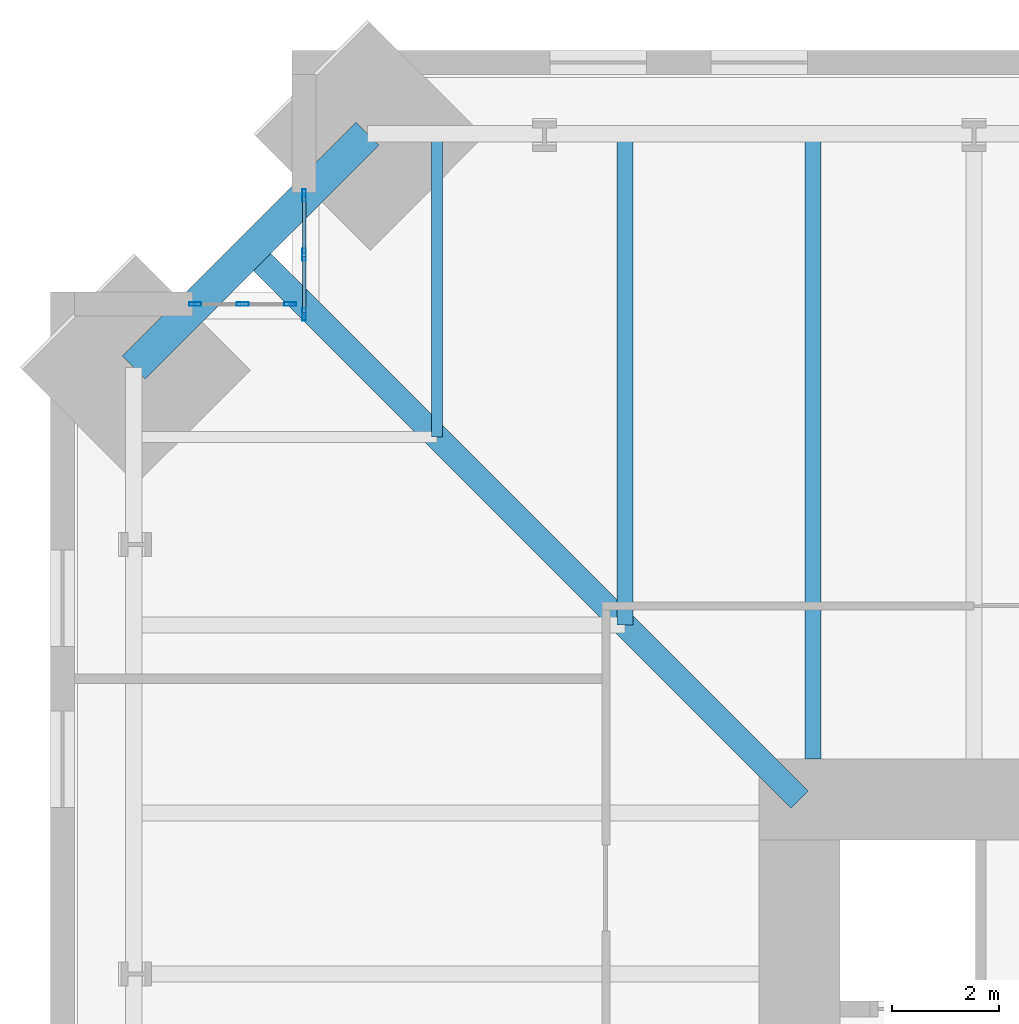
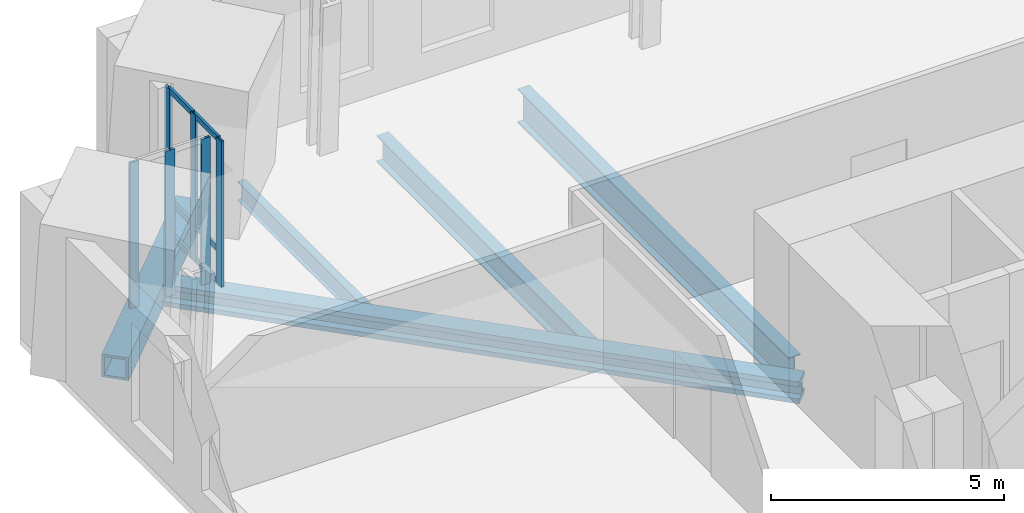
# One storey, part 6 of 15: 12 members, 5 beams, 2 elements without a shape of their own.
"""IFC4 building model written with IfcOpenShell, lengths in metres."""

from ifc_helpers import new_model, si_unit, direction, frame, origin, origin_2d, place, context, subcontext, project, spatial, hollow_rectangle, i_section, extrude, material, material_profile, profile_set, type_object, element, aggregate, save


model = new_model("IFC4")

# Units and contexts
model_context = context("Model", 3, precision=1e-05, world=origin(), true_north=direction((0.0, 1.0)))
body_context = subcontext(model_context, "Body", "Model", "MODEL_VIEW")
ifc_project = project(units=[si_unit("LENGTHUNIT", "METRE"), si_unit("AREAUNIT", "SQUARE_METRE"), si_unit("VOLUMEUNIT", "CUBIC_METRE"), si_unit("PLANEANGLEUNIT", "RADIAN"), si_unit("MASSUNIT", "GRAM", prefix="KILO")], contexts=[model_context])

# Site, building, storey
site_placement = place(None, origin())
site = spatial("IfcSite", under=ifc_project, at=site_placement, CompositionType="ELEMENT")
building_placement = place(site_placement, origin())
building = spatial("IfcBuilding", under=site, at=building_placement, Name="Peilmerk Tower", CompositionType="ELEMENT")
storey_placement = place(building_placement, frame((0.0, 0.0, 179.800048828125)))
storey = spatial("IfcBuildingStorey", under=building, at=storey_placement, Name="L38", CompositionType="ELEMENT", Elevation=179.800048828125)

# Beams
ifc_material_1 = material(Name="Steel S355", Category="steel")
ifc_material_profile_1 = material_profile(ifc_material_1, i_section(OverallWidth=0.300048828125, OverallDepth=0.68994140625, WebThickness=0.014404296875, FlangeThickness=0.027099609375, at=origin_2d()), Name="HEA 700")
ifc_profile_set_1 = profile_set([ifc_material_profile_1], Name="Steel S355")
beam_type_1 = type_object("IfcBeamType", Name="B16 HEA 700 floor beam", PredefinedType="BEAM", material=ifc_profile_set_1)
beam_1_placement = place(storey_placement, frame((-14.5, 14.5, -0.51513671875), z_axis=(0.0, 1.0, 0.0), x_axis=(-1.0, 0.0, 0.0)))
element("IfcBeam", 1, at=beam_1_placement, inside=storey, type_object=beam_type_1, Name="Floor beam L38", PredefinedType="BEAM", context=body_context, shape_type="SweptSolid", body=[
    extrude(i_section(OverallWidth=0.300048828125, OverallDepth=0.68994140625, WebThickness=0.014404296875, FlangeThickness=0.027099609375, at=origin_2d()), origin(), (0.0, 0.0, 1.0), 9.146728515625),
])
ifc_material_2 = material(Name="Steel S460", Category="steel")
ifc_material_profile_2 = material_profile(ifc_material_2, hollow_rectangle(XDim=0.60009765625, YDim=0.60009765625, WallThickness=0.06005859375, at=origin_2d()), Name="BOX 600x600x60")
ifc_profile_set_2 = profile_set([ifc_material_profile_2], Name="Steel S460")
beam_type_2 = type_object("IfcBeamType", Name="B20 BOX 600x600x60 notch beam", PredefinedType="SPANDREL", material=ifc_profile_set_2)
beam_2_placement = place(storey_placement, frame((-23.646728515625, 19.296875, -0.469970703125), z_axis=(0.707106781187, 0.707106781187, 0.0), x_axis=(-0.707106781187, 0.707106781187, 0.0)))
element("IfcBeam", 2, at=beam_2_placement, inside=storey, type_object=beam_type_2, Name="Notch beam L38", PredefinedType="SPANDREL", context=body_context, shape_type="SweptSolid", body=[
    extrude(hollow_rectangle(XDim=0.60009765625, YDim=0.60009765625, WallThickness=0.06005859375, at=origin_2d()), origin(), (0.0, 0.0, 1.0), 6.151611328125),
])
ifc_material_profile_3 = material_profile(ifc_material_1, i_section(OverallWidth=0.199951171875, OverallDepth=0.5, WebThickness=0.01025390625, FlangeThickness=0.01611328125, at=origin_2d()), Name="IPE 500")
ifc_profile_set_3 = profile_set([ifc_material_profile_3], Name="Steel S355")
beam_type_3 = type_object("IfcBeamType", Name="B32 IPE 500 floor beam", PredefinedType="BEAM", material=ifc_profile_set_3)
beam_3_placement = place(storey_placement, frame((-18.0, 18.0, -0.420166015625), z_axis=(0.0, 1.0, 0.0), x_axis=(-1.0, 0.0, 0.0)))
element("IfcBeam", 3, at=beam_3_placement, inside=storey, type_object=beam_type_3, Name="Floor beam L38", PredefinedType="BEAM", context=body_context, shape_type="SweptSolid", body=[
    extrude(i_section(OverallWidth=0.199951171875, OverallDepth=0.5, WebThickness=0.01025390625, FlangeThickness=0.01611328125, at=origin_2d()), origin(), (0.0, 0.0, 1.0), 5.646728515625),
])
ifc_material_profile_4 = material_profile(ifc_material_1, i_section(OverallWidth=0.300048828125, OverallDepth=0.889892578125, WebThickness=0.01611328125, FlangeThickness=0.030029296875, at=origin_2d()), Name="HEA 900")
ifc_profile_set_4 = profile_set([ifc_material_profile_4], Name="Steel S355")
beam_type_4 = type_object("IfcBeamType", Name="B4 HEA 900 floor beam", PredefinedType="BEAM", material=ifc_profile_set_4)
beam_4_placement = place(storey_placement, frame((-11.0, 12.0, -0.614990234375), z_axis=(0.0, 1.0, 0.0), x_axis=(-1.0, 0.0, 0.0)))
element("IfcBeam", 4, at=beam_4_placement, inside=storey, type_object=beam_type_4, Name="Floor beam L38", PredefinedType="BEAM", context=body_context, shape_type="SweptSolid", body=[
    extrude(i_section(OverallWidth=0.300048828125, OverallDepth=0.889892578125, WebThickness=0.01611328125, FlangeThickness=0.030029296875, at=origin_2d()), origin(), (0.0, 0.0, 1.0), 11.646728515625),
])
ifc_material_profile_5 = material_profile(ifc_material_2, i_section(OverallWidth=0.4541015625, OverallDepth=0.569091796875, WebThickness=0.077880859375, FlangeThickness=0.125, at=origin_2d()), Name="HD 400x1086")
ifc_profile_set_5 = profile_set([ifc_material_profile_5], Name="Steel S460")
beam_type_5 = type_object("IfcBeamType", Name="B9 HD 400x1086 corner girder", PredefinedType="BEAM", material=ifc_profile_set_5)
beam_5_placement = place(storey_placement, frame((-11.25, 11.25, -0.45458984375), z_axis=(-0.707106781187, 0.707106781187, 0.0), x_axis=(-0.707106781187, -0.707106781187, 0.0)))
element("IfcBeam", 5, at=beam_5_placement, inside=storey, type_object=beam_type_5, Name="Corner girder L38", PredefinedType="BEAM", context=body_context, shape_type="SweptSolid", body=[
    extrude(i_section(OverallWidth=0.4541015625, OverallDepth=0.569091796875, WebThickness=0.077880859375, FlangeThickness=0.125, at=origin_2d()), origin(), (0.0, 0.0, 1.0), 14.45556640625),
])

# Curtain wall, members
ifc_material_3 = material(Name="Aluminium stick curtain wall", Category="aluminium")
curtain_wall_type = type_object("IfcCurtainWallType", Name="CW3 stick curtain wall, 2250 module", PredefinedType="NOTDEFINED", material=ifc_material_3)
curtain_wall_1_placement = place(storey_placement, origin())
curtain_wall_1 = element("IfcCurtainWall", 6, at=curtain_wall_1_placement, inside=storey, type_object=curtain_wall_type, Name="Curtain wall CW3 NWA L38", PredefinedType="NOTDEFINED")
ifc_material_4 = material(Name="Aluminium EN AW-6063 T6", Category="aluminium")
ifc_material_profile_6 = material_profile(ifc_material_4, hollow_rectangle(XDim=0.06494140625, YDim=0.22509765625, WallThickness=0.00390625, at=origin_2d()), Name="AL 225x65x4")
ifc_profile_set_6 = profile_set([ifc_material_profile_6], Name="Aluminium EN AW-6063 T6")
member_type_1 = type_object("IfcMemberType", Name="CW3-M AL 225x65x4 mullion", PredefinedType="MULLION", material=ifc_profile_set_6)
member_1_placement = place(storey_placement, frame((-20.47509765625, 20.282470703125, 0.0), z_axis=(0.0, 0.0, 1.0), x_axis=(-1.0, 0.0, 0.0)))
member_1 = element("IfcMember", 7, at=member_1_placement, type_object=member_type_1, Name="CW3 mullion 1", PredefinedType="MULLION", context=body_context, shape_type="SweptSolid", body=[
    extrude(hollow_rectangle(XDim=0.06494140625, YDim=0.22509765625, WallThickness=0.00390625, at=origin_2d()), origin(), (0.0, 0.0, 1.0), 3.829833984375),
])
member_2_placement = place(storey_placement, frame((-20.47509765625, 21.394287109375, 0.0), z_axis=(0.0, 0.0, 1.0), x_axis=(-1.0, 0.0, 0.0)))
member_2 = element("IfcMember", 8, at=member_2_placement, type_object=member_type_1, Name="CW3 mullion 2", PredefinedType="MULLION", context=body_context, shape_type="SweptSolid", body=[
    extrude(hollow_rectangle(XDim=0.06494140625, YDim=0.22509765625, WallThickness=0.00390625, at=origin_2d()), origin(), (0.0, 0.0, 1.0), 3.829833984375),
])
member_3_placement = place(storey_placement, frame((-20.47509765625, 22.506103515625, 0.0), z_axis=(0.0, 0.0, 1.0), x_axis=(-1.0, 0.0, 0.0)))
member_3 = element("IfcMember", 9, at=member_3_placement, type_object=member_type_1, Name="CW3 mullion 3", PredefinedType="MULLION", context=body_context, shape_type="SweptSolid", body=[
    extrude(hollow_rectangle(XDim=0.06494140625, YDim=0.22509765625, WallThickness=0.00390625, at=origin_2d()), origin(), (0.0, 0.0, 1.0), 3.829833984375),
])

curtain_wall_2_placement = place(storey_placement, origin())
curtain_wall_2 = element("IfcCurtainWall", 10, at=curtain_wall_2_placement, inside=storey, type_object=curtain_wall_type, Name="Curtain wall CW3 NWB L38", PredefinedType="NOTDEFINED")
member_4_placement = place(storey_placement, frame((-20.732421875, 20.47509765625, 0.0), z_axis=(0.0, 0.0, 1.0), x_axis=(0.0, -1.0, 0.0)))
member_4 = element("IfcMember", 11, at=member_4_placement, type_object=member_type_1, Name="CW3 mullion 1", PredefinedType="MULLION", context=body_context, shape_type="SweptSolid", body=[
    extrude(hollow_rectangle(XDim=0.06494140625, YDim=0.22509765625, WallThickness=0.00390625, at=origin_2d()), origin(), (0.0, 0.0, 1.0), 3.829833984375),
])
member_5_placement = place(storey_placement, frame((-21.619384765625, 20.47509765625, 0.0), z_axis=(0.0, 0.0, 1.0), x_axis=(0.0, -1.0, 0.0)))
member_5 = element("IfcMember", 12, at=member_5_placement, type_object=member_type_1, Name="CW3 mullion 2", PredefinedType="MULLION", context=body_context, shape_type="SweptSolid", body=[
    extrude(hollow_rectangle(XDim=0.06494140625, YDim=0.22509765625, WallThickness=0.00390625, at=origin_2d()), origin(), (0.0, 0.0, 1.0), 3.829833984375),
])
member_6_placement = place(storey_placement, frame((-22.506103515625, 20.47509765625, 0.0), z_axis=(0.0, 0.0, 1.0), x_axis=(0.0, -1.0, 0.0)))
member_6 = element("IfcMember", 13, at=member_6_placement, type_object=member_type_1, Name="CW3 mullion 3", PredefinedType="MULLION", context=body_context, shape_type="SweptSolid", body=[
    extrude(hollow_rectangle(XDim=0.06494140625, YDim=0.22509765625, WallThickness=0.00390625, at=origin_2d()), origin(), (0.0, 0.0, 1.0), 3.829833984375),
])
aggregate(curtain_wall_2, [member_4, member_5, member_6])

# Member
ifc_material_profile_7 = material_profile(ifc_material_4, hollow_rectangle(XDim=0.06494140625, YDim=0.14990234375, WallThickness=0.0029296875, at=origin_2d()), Name="AL 150x65x3")
ifc_profile_set_7 = profile_set([ifc_material_profile_7], Name="Aluminium EN AW-6063 T6")
member_type_2 = type_object("IfcMemberType", Name="CW3-T AL 150x65x3 transom", PredefinedType="USERDEFINED", material=ifc_profile_set_7)
member_7_placement = place(storey_placement, frame((-20.47509765625, 20.31494140625, 0.032470703125), z_axis=(0.0, 1.0, 0.0), x_axis=(-1.0, 0.0, 0.0)))
member_7 = element("IfcMember", 14, at=member_7_placement, type_object=member_type_2, Name="CW3 transom 1.1", ObjectType="TRANSOM", PredefinedType="USERDEFINED", context=body_context, shape_type="SweptSolid", body=[
    extrude(hollow_rectangle(XDim=0.06494140625, YDim=0.14990234375, WallThickness=0.0029296875, at=origin_2d()), origin(), (0.0, 0.0, 1.0), 1.046875),
])

member_8_placement = place(storey_placement, frame((-20.47509765625, 20.31494140625, 0.89990234375), z_axis=(0.0, 1.0, 0.0), x_axis=(-1.0, 0.0, 0.0)))
member_8 = element("IfcMember", 15, at=member_8_placement, type_object=member_type_2, Name="CW3 transom 1.2", ObjectType="TRANSOM", PredefinedType="USERDEFINED", context=body_context, shape_type="SweptSolid", body=[
    extrude(hollow_rectangle(XDim=0.06494140625, YDim=0.14990234375, WallThickness=0.0029296875, at=origin_2d()), origin(), (0.0, 0.0, 1.0), 1.046875),
])

member_9_placement = place(storey_placement, frame((-20.47509765625, 20.31494140625, 3.79736328125), z_axis=(0.0, 1.0, 0.0), x_axis=(-1.0, 0.0, 0.0)))
member_9 = element("IfcMember", 16, at=member_9_placement, type_object=member_type_2, Name="CW3 transom 1.3", ObjectType="TRANSOM", PredefinedType="USERDEFINED", context=body_context, shape_type="SweptSolid", body=[
    extrude(hollow_rectangle(XDim=0.06494140625, YDim=0.14990234375, WallThickness=0.0029296875, at=origin_2d()), origin(), (0.0, 0.0, 1.0), 1.046875),
])

member_10_placement = place(storey_placement, frame((-20.47509765625, 21.4267578125, 0.032470703125), z_axis=(0.0, 1.0, 0.0), x_axis=(-1.0, 0.0, 0.0)))
member_10 = element("IfcMember", 17, at=member_10_placement, type_object=member_type_2, Name="CW3 transom 2.1", ObjectType="TRANSOM", PredefinedType="USERDEFINED", context=body_context, shape_type="SweptSolid", body=[
    extrude(hollow_rectangle(XDim=0.06494140625, YDim=0.14990234375, WallThickness=0.0029296875, at=origin_2d()), origin(), (0.0, 0.0, 1.0), 1.046875),
])

member_11_placement = place(storey_placement, frame((-20.47509765625, 21.4267578125, 0.89990234375), z_axis=(0.0, 1.0, 0.0), x_axis=(-1.0, 0.0, 0.0)))
member_11 = element("IfcMember", 18, at=member_11_placement, type_object=member_type_2, Name="CW3 transom 2.2", ObjectType="TRANSOM", PredefinedType="USERDEFINED", context=body_context, shape_type="SweptSolid", body=[
    extrude(hollow_rectangle(XDim=0.06494140625, YDim=0.14990234375, WallThickness=0.0029296875, at=origin_2d()), origin(), (0.0, 0.0, 1.0), 1.046875),
])

member_12_placement = place(storey_placement, frame((-20.47509765625, 21.4267578125, 3.79736328125), z_axis=(0.0, 1.0, 0.0), x_axis=(-1.0, 0.0, 0.0)))
member_12 = element("IfcMember", 19, at=member_12_placement, type_object=member_type_2, Name="CW3 transom 2.3", ObjectType="TRANSOM", PredefinedType="USERDEFINED", context=body_context, shape_type="SweptSolid", body=[
    extrude(hollow_rectangle(XDim=0.06494140625, YDim=0.14990234375, WallThickness=0.0029296875, at=origin_2d()), origin(), (0.0, 0.0, 1.0), 1.046875),
])

aggregate(curtain_wall_1, [member_1, member_2, member_3, member_7, member_8, member_9, member_10, member_11, member_12])

save(model, "model.ifc")
